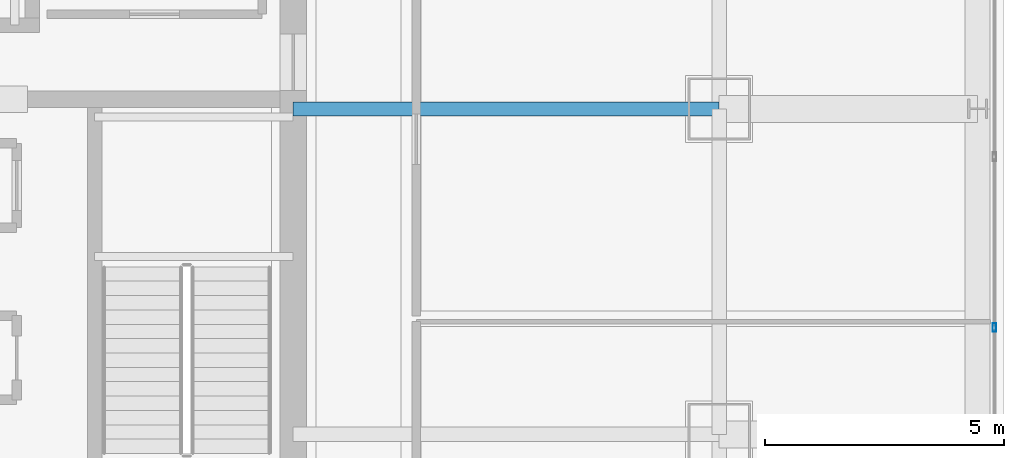
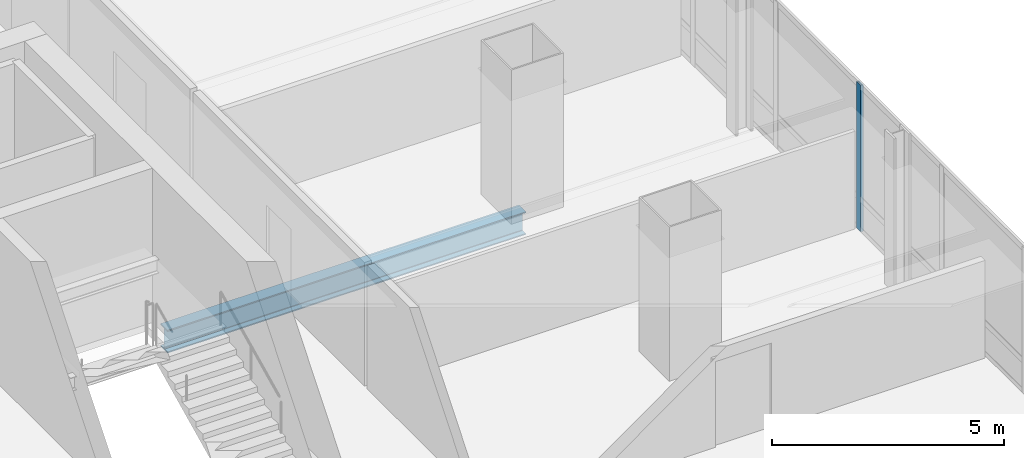
# One storey, part 18 of 42: 1 beam, 1 member, 1 element without a shape of its own.
"""IFC4 building model written with IfcOpenShell, lengths in metres."""

from ifc_helpers import new_model, si_unit, direction, frame, origin, origin_2d, place, context, subcontext, project, spatial, hollow_rectangle, i_section, extrude, material, material_profile, profile_set, type_object, element, aggregate, save


model = new_model("IFC4")

# Units and contexts
model_context = context("Model", 3, precision=1e-05, world=origin(), true_north=direction((0.0, 1.0)))
body_context = subcontext(model_context, "Body", "Model", "MODEL_VIEW")
ifc_project = project(units=[si_unit("LENGTHUNIT", "METRE"), si_unit("AREAUNIT", "SQUARE_METRE"), si_unit("VOLUMEUNIT", "CUBIC_METRE"), si_unit("PLANEANGLEUNIT", "RADIAN"), si_unit("MASSUNIT", "GRAM", prefix="KILO")], contexts=[model_context])

# Site, building, storey
site_placement = place(None, origin())
site = spatial("IfcSite", under=ifc_project, at=site_placement, CompositionType="ELEMENT")
building_placement = place(site_placement, origin())
building = spatial("IfcBuilding", under=site, at=building_placement, Name="Punatoya Terracotta Tower", CompositionType="ELEMENT")
storey_placement = place(building_placement, frame((0.0, 0.0, 255.449951171875)))
storey = spatial("IfcBuildingStorey", under=building, at=storey_placement, Name="L60", CompositionType="ELEMENT", Elevation=255.449951171875)

# Beam
ifc_material_1 = material(Name="Steel S355", Category="steel")
ifc_material_profile_1 = material_profile(ifc_material_1, i_section(OverallWidth=0.300048828125, OverallDepth=0.60009765625, WebThickness=0.015380859375, FlangeThickness=0.030029296875, FilletRadius=0.01806640625, at=origin_2d()))
ifc_profile_set_1 = profile_set([ifc_material_profile_1], Name="Steel S355")
beam_type = type_object("IfcBeamType", Name="BM-PRI-600", PredefinedType="BEAM", material=ifc_profile_set_1)
beam_placement = place(storey_placement, frame((10.199951171875, 3.39990234375, -0.5), z_axis=(1.0, 0.0, 0.0), x_axis=(0.0, 1.0, 0.0)))
element("IfcBeam", 1, at=beam_placement, inside=storey, type_object=beam_type, Name="BM-L60-PR-EE", PredefinedType="BEAM", context=body_context, shape_type="SweptSolid", body=[
    extrude(i_section(OverallWidth=0.300048828125, OverallDepth=0.60009765625, WebThickness=0.015380859375, FlangeThickness=0.030029296875, FilletRadius=0.01806640625, at=origin_2d()), origin(), (0.0, 0.0, 1.0), 8.900146484375),
])

# Curtain wall, member
ifc_material_2 = material(Name="Aluminium 6063-T6 + Double Low-E Glass", Category="aluminium")
curtain_wall_type = type_object("IfcCurtainWallType", Name="CW-M3", PredefinedType="NOTDEFINED", material=ifc_material_2)
curtain_wall_placement = place(storey_placement, origin())
curtain_wall = element("IfcCurtainWall", 2, at=curtain_wall_placement, inside=storey, type_object=curtain_wall_type, Name="L60 Curtain Wall CW-L60-E05-1", PredefinedType="NOTDEFINED")
ifc_material_3 = material(Name="Aluminium 6063-T6", Category="aluminium")
ifc_material_profile_2 = material_profile(ifc_material_3, hollow_rectangle(XDim=0.070068359375, YDim=0.179931640625, WallThickness=0.00390625, at=origin_2d()))
ifc_profile_set_2 = profile_set([ifc_material_profile_2], Name="Aluminium 6063-T6")
member_type = type_object("IfcMemberType", Name="CW-MUL-M3", PredefinedType="MULLION", material=ifc_profile_set_2)
member_placement = place(storey_placement, frame((24.85009765625, -1.16748046875, 0.0), z_axis=(0.0, 0.0, 1.0), x_axis=(1.0, 0.0, 0.0)))
member = element("IfcMember", 3, at=member_placement, type_object=member_type, Name="CW-L60-E05-1 Mullion 04", PredefinedType="MULLION", context=body_context, shape_type="SweptSolid", body=[
    extrude(hollow_rectangle(XDim=0.070068359375, YDim=0.179931640625, WallThickness=0.00390625, at=origin_2d()), origin(), (0.0, 0.0, 1.0), 3.85009765625),
])
aggregate(curtain_wall, [member])

save(model, "model.ifc")
